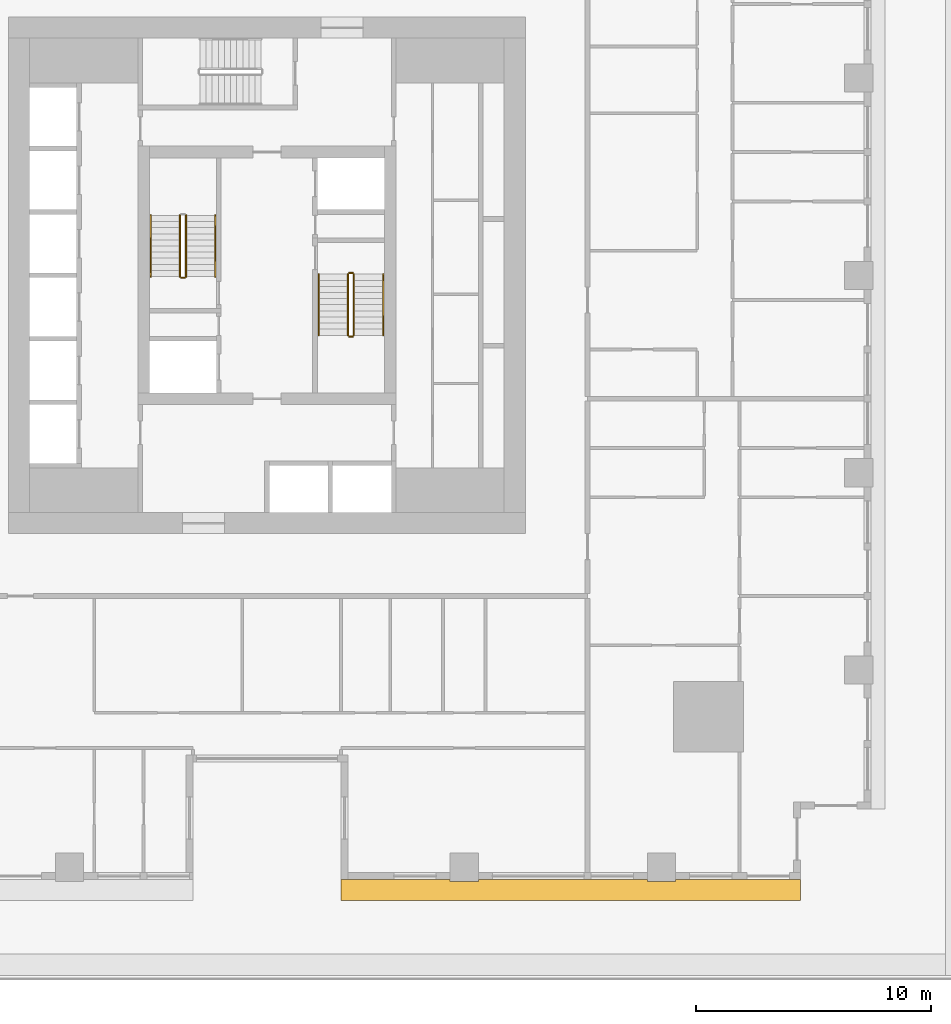
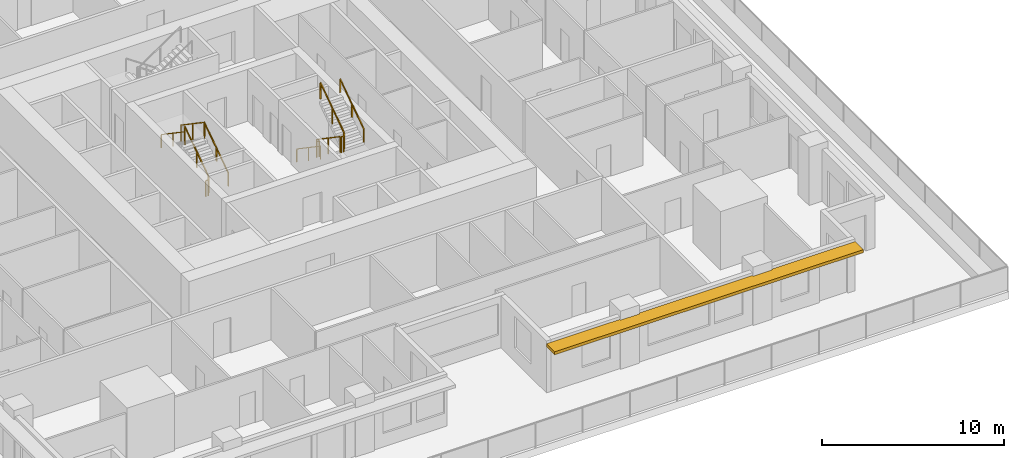
# One storey, part 13 of 16: 11 railings, 1 shading device.
"""IFC4 building model written with IfcOpenShell, lengths in metres."""

from ifc_helpers import new_model, si_unit, direction, frame, origin, origin_2d, place, context, subcontext, project, spatial, polyline, rectangle, outline, extrude, material, layer, layer_set, type_object, element, save


model = new_model("IFC4")

# Units and contexts
model_context = context("Model", 3, precision=1e-05, world=origin(), true_north=direction((0.0, 1.0)))
body_context = subcontext(model_context, "Body", "Model", "MODEL_VIEW")
ifc_project = project(units=[si_unit("LENGTHUNIT", "METRE"), si_unit("AREAUNIT", "SQUARE_METRE"), si_unit("VOLUMEUNIT", "CUBIC_METRE"), si_unit("PLANEANGLEUNIT", "RADIAN"), si_unit("MASSUNIT", "GRAM", prefix="KILO")], contexts=[model_context])

# Site, building, storey
site_placement = place(None, origin())
site = spatial("IfcSite", under=ifc_project, at=site_placement, CompositionType="ELEMENT")
building_placement = place(site_placement, origin())
building = spatial("IfcBuilding", under=site, at=building_placement, Name="Khepri Terraces", CompositionType="ELEMENT")
storey_placement = place(building_placement, frame((0.0, 0.0, 27.0)))
storey = spatial("IfcBuildingStorey", under=building, at=storey_placement, Name="L05", CompositionType="ELEMENT", Elevation=27.0)

# Railings
ifc_material_1 = material(Name="Stainless steel 316", Category="steel")
railing_type_1 = type_object("IfcRailingType", Name="RL-CORE-GUARD", PredefinedType="GUARDRAIL", material=ifc_material_1)
railing_1_placement = place(storey_placement, frame((-3.449951171875, -0.050048828125, 0.17724609375)))
element("IfcRailing", 1, at=railing_1_placement, inside=storey, type_object=railing_type_1, Name="L05 ST-1 stair guard 1", PredefinedType="GUARDRAIL", context=body_context, shape_type="SweptSolid", body=[
    extrude(rectangle(XDim=0.050048828125, YDim=0.06005859375, at=origin_2d()), frame((0.0, 0.0, 1.070068359375), z_axis=(0.0, 0.826240473404, 0.563317565952), x_axis=(-1.0, 0.0, 0.0)), (0.0, 0.0, 1.0), 3.14697265625),
    extrude(rectangle(XDim=0.050048828125, YDim=0.050048828125, at=origin_2d()), origin(), (0.0, 0.0, 1.0), 1.0400390625),
    extrude(rectangle(XDim=0.050048828125, YDim=0.050048828125, at=origin_2d()), frame((0.0, 1.300048828125, 0.88623046875)), (0.0, 0.0, 1.0), 1.0400390625),
    extrude(rectangle(XDim=0.050048828125, YDim=0.050048828125, at=origin_2d()), frame((0.0, 2.60009765625, 1.772705078125)), (0.0, 0.0, 1.0), 1.0400390625),
])
railing_2_placement = place(storey_placement, frame((-3.699951171875, 2.550048828125, 2.127197265625)))
element("IfcRailing", 2, at=railing_2_placement, inside=storey, type_object=railing_type_1, Name="L05 ST-1 stair guard 3", PredefinedType="GUARDRAIL", context=body_context, shape_type="SweptSolid", body=[
    extrude(rectangle(XDim=0.050048828125, YDim=0.06005859375, at=origin_2d()), frame((0.0, 0.0, 1.070068359375), z_axis=(0.0, -0.826240473404, 0.563317565952), x_axis=(1.0, 0.0, 0.0)), (0.0, 0.0, 1.0), 3.14697265625),
    extrude(rectangle(XDim=0.050048828125, YDim=0.050048828125, at=origin_2d()), origin(), (0.0, 0.0, 1.0), 1.0400390625),
    extrude(rectangle(XDim=0.050048828125, YDim=0.050048828125, at=origin_2d()), frame((0.0, -1.300048828125, 0.88623046875)), (0.0, 0.0, 1.0), 1.0400390625),
    extrude(rectangle(XDim=0.050048828125, YDim=0.050048828125, at=origin_2d()), frame((0.0, -2.60009765625, 1.772705078125)), (0.0, 0.0, 1.0), 1.0400390625),
])
railing_3_placement = place(storey_placement, frame((-3.5, -0.10009765625, 0.0)))
element("IfcRailing", 3, at=railing_3_placement, inside=storey, type_object=railing_type_1, Name="L05 ST-1 stair guard 4", PredefinedType="GUARDRAIL", context=body_context, shape_type="SweptSolid", body=[
    extrude(rectangle(XDim=0.050048828125, YDim=0.06005859375, at=origin_2d()), frame((0.0, 0.0, 1.070068359375), z_axis=(-1.0, 0.0, 0.0), x_axis=(0.0, -1.0, 0.0)), (0.0, 0.0, 1.0), 0.14990234375),
    extrude(rectangle(XDim=0.050048828125, YDim=0.050048828125, at=origin_2d()), origin(), (0.0, 0.0, 1.0), 1.0400390625),
    extrude(rectangle(XDim=0.050048828125, YDim=0.050048828125, at=origin_2d()), frame((-0.14990234375, 0.0, 0.0)), (0.0, 0.0, 1.0), 1.0400390625),
])
railing_4_placement = place(storey_placement, frame((3.449951171875, 0.050048828125, 0.17724609375)))
element("IfcRailing", 4, at=railing_4_placement, inside=storey, type_object=railing_type_1, Name="L05 ST-2 stair guard 1", PredefinedType="GUARDRAIL", context=body_context, shape_type="SweptSolid", body=[
    extrude(rectangle(XDim=0.050048828125, YDim=0.06005859375, at=origin_2d()), frame((0.0, 0.0, 1.070068359375), z_axis=(0.0, -0.826240473404, 0.563317565952), x_axis=(1.0, 0.0, 0.0)), (0.0, 0.0, 1.0), 3.14697265625),
    extrude(rectangle(XDim=0.050048828125, YDim=0.050048828125, at=origin_2d()), origin(), (0.0, 0.0, 1.0), 1.0400390625),
    extrude(rectangle(XDim=0.050048828125, YDim=0.050048828125, at=origin_2d()), frame((0.0, -1.300048828125, 0.88623046875)), (0.0, 0.0, 1.0), 1.0400390625),
    extrude(rectangle(XDim=0.050048828125, YDim=0.050048828125, at=origin_2d()), frame((0.0, -2.60009765625, 1.772705078125)), (0.0, 0.0, 1.0), 1.0400390625),
])
railing_5_placement = place(storey_placement, frame((3.5, -2.60009765625, 1.949951171875)))
element("IfcRailing", 5, at=railing_5_placement, inside=storey, type_object=railing_type_1, Name="L05 ST-2 stair guard 2", PredefinedType="GUARDRAIL", context=body_context, shape_type="SweptSolid", body=[
    extrude(rectangle(XDim=0.050048828125, YDim=0.06005859375, at=origin_2d()), frame((0.0, 0.0, 1.070068359375), z_axis=(1.0, 0.0, 0.0), x_axis=(0.0, 1.0, 0.0)), (0.0, 0.0, 1.0), 0.14990234375),
    extrude(rectangle(XDim=0.050048828125, YDim=0.050048828125, at=origin_2d()), origin(), (0.0, 0.0, 1.0), 1.0400390625),
    extrude(rectangle(XDim=0.050048828125, YDim=0.050048828125, at=origin_2d()), frame((0.14990234375, 0.0, 0.0)), (0.0, 0.0, 1.0), 1.0400390625),
])
railing_6_placement = place(storey_placement, frame((3.699951171875, -2.550048828125, 2.127197265625)))
element("IfcRailing", 6, at=railing_6_placement, inside=storey, type_object=railing_type_1, Name="L05 ST-2 stair guard 3", PredefinedType="GUARDRAIL", context=body_context, shape_type="SweptSolid", body=[
    extrude(rectangle(XDim=0.050048828125, YDim=0.06005859375, at=origin_2d()), frame((0.0, 0.0, 1.070068359375), z_axis=(0.0, 0.826240473404, 0.563317565952), x_axis=(-1.0, 0.0, 0.0)), (0.0, 0.0, 1.0), 3.14697265625),
    extrude(rectangle(XDim=0.050048828125, YDim=0.050048828125, at=origin_2d()), origin(), (0.0, 0.0, 1.0), 1.0400390625),
    extrude(rectangle(XDim=0.050048828125, YDim=0.050048828125, at=origin_2d()), frame((0.0, 1.300048828125, 0.88623046875)), (0.0, 0.0, 1.0), 1.0400390625),
    extrude(rectangle(XDim=0.050048828125, YDim=0.050048828125, at=origin_2d()), frame((0.0, 2.60009765625, 1.772705078125)), (0.0, 0.0, 1.0), 1.0400390625),
])
railing_7_placement = place(storey_placement, frame((3.5, 0.10009765625, 0.0)))
element("IfcRailing", 7, at=railing_7_placement, inside=storey, type_object=railing_type_1, Name="L05 ST-2 stair guard 4", PredefinedType="GUARDRAIL", context=body_context, shape_type="SweptSolid", body=[
    extrude(rectangle(XDim=0.050048828125, YDim=0.06005859375, at=origin_2d()), frame((0.0, 0.0, 1.070068359375), z_axis=(1.0, 0.0, 0.0), x_axis=(0.0, 1.0, 0.0)), (0.0, 0.0, 1.0), 0.14990234375),
    extrude(rectangle(XDim=0.050048828125, YDim=0.050048828125, at=origin_2d()), origin(), (0.0, 0.0, 1.0), 1.0400390625),
    extrude(rectangle(XDim=0.050048828125, YDim=0.050048828125, at=origin_2d()), frame((0.14990234375, 0.0, 0.0)), (0.0, 0.0, 1.0), 1.0400390625),
])
railing_type_2 = type_object("IfcRailingType", Name="RL-CORE-HANDRAIL", PredefinedType="HANDRAIL", material=ifc_material_1)
railing_8_placement = place(storey_placement, frame((-2.199951171875, -0.050048828125, 0.17724609375)))
element("IfcRailing", 8, at=railing_8_placement, inside=storey, type_object=railing_type_2, Name="L05 ST-1 stair handrail 1", PredefinedType="HANDRAIL", context=body_context, shape_type="SweptSolid", body=[
    extrude(rectangle(XDim=0.050048828125, YDim=0.050048828125, at=origin_2d()), frame((0.0, 0.0, 0.875), z_axis=(0.0, 0.826240473404, 0.563317565952), x_axis=(-1.0, 0.0, 0.0)), (0.0, 0.0, 1.0), 3.14697265625),
    extrude(rectangle(XDim=0.050048828125, YDim=0.050048828125, at=origin_2d()), origin(), (0.0, 0.0, 1.0), 0.849853515625),
    extrude(rectangle(XDim=0.050048828125, YDim=0.050048828125, at=origin_2d()), frame((0.0, 1.300048828125, 0.88623046875)), (0.0, 0.0, 1.0), 0.849853515625),
    extrude(rectangle(XDim=0.050048828125, YDim=0.050048828125, at=origin_2d()), frame((0.0, 2.60009765625, 1.772705078125)), (0.0, 0.0, 1.0), 0.849853515625),
])
for number, where, name in (
    (9, (-4.949951171875, 2.550048828125, 2.127197265625), "L05 ST-1 stair handrail 2"),
    (10, (2.199951171875, 0.050048828125, 0.17724609375), "L05 ST-2 stair handrail 1"),
):
    element("IfcRailing", number, at=place(storey_placement, frame(where)), inside=storey, type_object=railing_type_2, Name=name, PredefinedType="HANDRAIL", context=body_context, shape_type="SweptSolid", body=[
        extrude(rectangle(XDim=0.050048828125, YDim=0.050048828125, at=origin_2d()), frame((0.0, 0.0, 0.875), z_axis=(0.0, -0.826240473404, 0.563317565952), x_axis=(1.0, 0.0, 0.0)), (0.0, 0.0, 1.0), 3.14697265625),
        extrude(rectangle(XDim=0.050048828125, YDim=0.050048828125, at=origin_2d()), origin(), (0.0, 0.0, 1.0), 0.849853515625),
        extrude(rectangle(XDim=0.050048828125, YDim=0.050048828125, at=origin_2d()), frame((0.0, -1.300048828125, 0.88623046875)), (0.0, 0.0, 1.0), 0.849853515625),
        extrude(rectangle(XDim=0.050048828125, YDim=0.050048828125, at=origin_2d()), frame((0.0, -2.60009765625, 1.772705078125)), (0.0, 0.0, 1.0), 0.849853515625),
    ])
railing_9_placement = place(storey_placement, frame((4.949951171875, -2.550048828125, 2.127197265625)))
element("IfcRailing", 11, at=railing_9_placement, inside=storey, type_object=railing_type_2, Name="L05 ST-2 stair handrail 2", PredefinedType="HANDRAIL", context=body_context, shape_type="SweptSolid", body=[
    extrude(rectangle(XDim=0.050048828125, YDim=0.050048828125, at=origin_2d()), frame((0.0, 0.0, 0.875), z_axis=(0.0, 0.826240473404, 0.563317565952), x_axis=(-1.0, 0.0, 0.0)), (0.0, 0.0, 1.0), 3.14697265625),
    extrude(rectangle(XDim=0.050048828125, YDim=0.050048828125, at=origin_2d()), origin(), (0.0, 0.0, 1.0), 0.849853515625),
    extrude(rectangle(XDim=0.050048828125, YDim=0.050048828125, at=origin_2d()), frame((0.0, 1.300048828125, 0.88623046875)), (0.0, 0.0, 1.0), 0.849853515625),
    extrude(rectangle(XDim=0.050048828125, YDim=0.050048828125, at=origin_2d()), frame((0.0, 2.60009765625, 1.772705078125)), (0.0, 0.0, 1.0), 0.849853515625),
])

# Shading device
ifc_material_2 = material(Name="Precast concrete C50/60 warm stone", Category="masonry")
ifc_layer = layer(ifc_material_2, 0.199951171875, Name="Precast concrete C50/60 warm stone", Category="masonry")
ifc_layer_set = layer_set([ifc_layer], Name="Precast concrete C50/60 warm stone")
shading_device_type = type_object("IfcShadingDeviceType", Name="SSH-BAND-STONE-200", PredefinedType="USERDEFINED", material=ifc_layer_set)
shading_device_placement = place(storey_placement, frame((0.0, 0.0, 3.10009765625)))
element("IfcShadingDevice", 12, at=shading_device_placement, inside=storey, type_object=shading_device_type, Name="Sunshade band L05 S", ObjectType="SUNSHADE", PredefinedType="USERDEFINED", context=body_context, shape_type="SweptSolid", body=[
    extrude(outline(polyline([(7.800048828125, -25.719970703125), (3.14990234375, -25.719970703125), (3.14990234375, -26.6201171875), (22.719970703125, -26.6201171875), (22.719970703125, -25.719970703125), (17.39990234375, -25.719970703125), (17.39990234375, -25.800048828125), (16.199951171875, -25.800048828125), (16.199951171875, -25.719970703125), (9.0, -25.719970703125), (9.0, -25.800048828125), (7.800048828125, -25.800048828125), (7.800048828125, -25.719970703125)])), origin(), (0.0, 0.0, 1.0), 0.199951171875),
])

save(model, "model.ifc")
